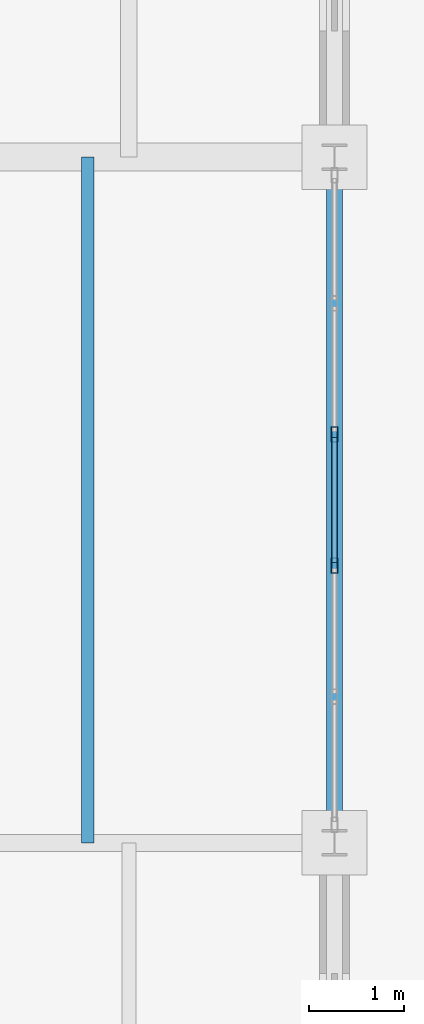
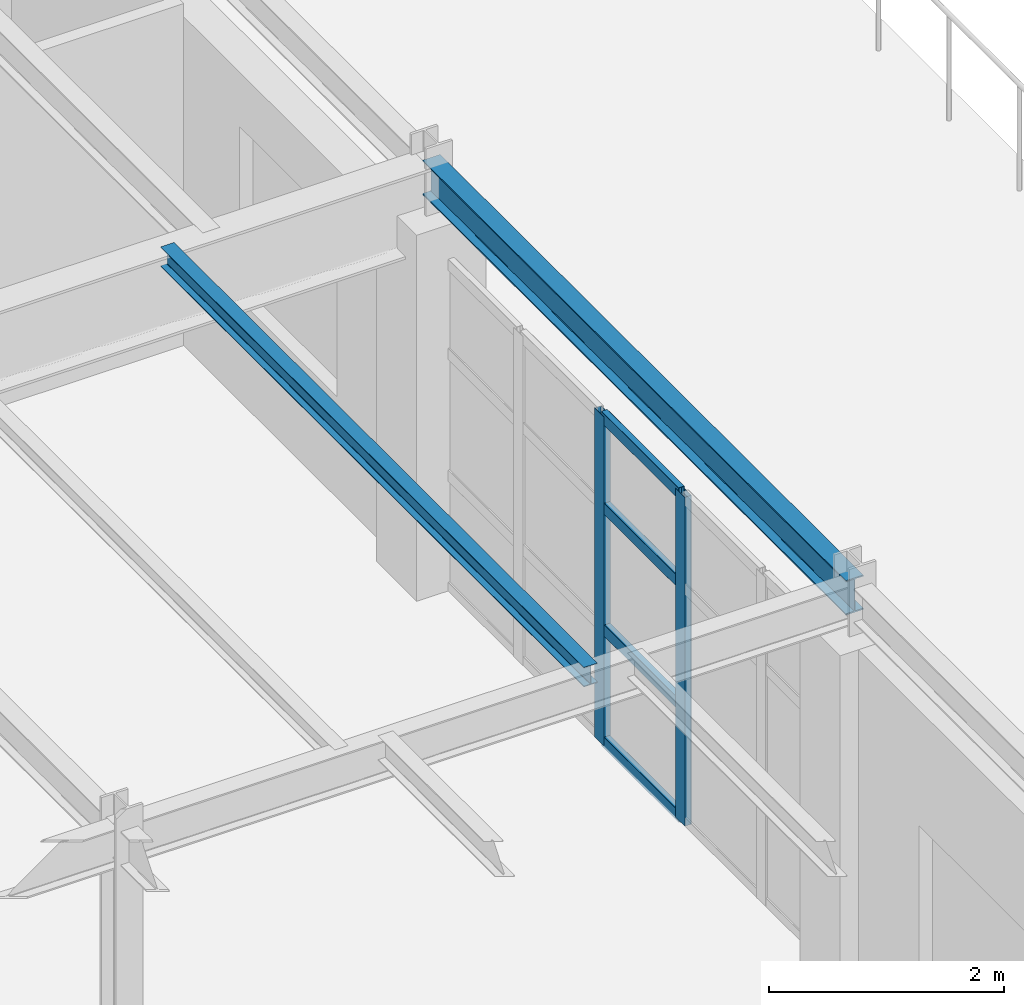
# One storey, part 45 of 101: 6 members, 2 beams, 1 element without a shape of its own.
"""IFC4 building model written with IfcOpenShell, lengths in metres."""

from ifc_helpers import new_model, si_unit, direction, frame, origin, origin_2d, place, context, subcontext, project, spatial, hollow_rectangle, i_section, extrude, material, layer, layer_set, material_profile, profile_set, type_object, element, aggregate, save


model = new_model("IFC4")

# Units and contexts
model_context = context("Model", 3, precision=1e-05, world=origin(), true_north=direction((0.0, 1.0)))
body_context = subcontext(model_context, "Body", "Model", "MODEL_VIEW")
ifc_project = project(units=[si_unit("LENGTHUNIT", "METRE"), si_unit("AREAUNIT", "SQUARE_METRE"), si_unit("VOLUMEUNIT", "CUBIC_METRE"), si_unit("PLANEANGLEUNIT", "RADIAN"), si_unit("MASSUNIT", "GRAM", prefix="KILO")], contexts=[model_context])

# Site, building, storey
site_placement = place(None, origin())
site = spatial("IfcSite", under=ifc_project, at=site_placement, CompositionType="ELEMENT")
building_placement = place(site_placement, origin())
building = spatial("IfcBuilding", under=site, at=building_placement, Name="Kemerveld Promenade Tramway Depot", CompositionType="ELEMENT")
storey_placement = place(building_placement, frame((0.0, 0.0, 9.89990234375)))
storey = spatial("IfcBuildingStorey", under=building, at=storey_placement, Name="L02", CompositionType="ELEMENT", Elevation=9.89990234375)

# Beams
ifc_material_1 = material(Name="Steel S355", Category="steel")
ifc_material_profile_1 = material_profile(ifc_material_1, i_section(OverallWidth=0.172119140625, OverallDepth=0.35791015625, WebThickness=0.008056640625, FlangeThickness=0.012939453125, FilletRadius=0.01025390625, at=origin_2d()), Name="356x171x57 UB")
ifc_profile_set_1 = profile_set([ifc_material_profile_1], Name="Steel S355")
beam_type_1 = type_object("IfcBeamType", Name="BM-G08", PredefinedType="BEAM", material=ifc_profile_set_1)
beam_1_placement = place(storey_placement, frame((50.39990234375, 43.199951171875, 4.106201171875), z_axis=(0.0, 1.0, 0.0), x_axis=(-1.0, 0.0, 0.0)))
element("IfcBeam", 1, at=beam_1_placement, inside=storey, type_object=beam_type_1, Name="BMY-L02-08-G-H", PredefinedType="BEAM", context=body_context, shape_type="SweptSolid", body=[
    extrude(i_section(OverallWidth=0.172119140625, OverallDepth=0.35791015625, WebThickness=0.008056640625, FlangeThickness=0.012939453125, FilletRadius=0.01025390625, at=origin_2d()), origin(), (0.0, 0.0, 1.0), 7.199951171875),
])
ifc_material_profile_2 = material_profile(ifc_material_1, i_section(OverallWidth=0.13330078125, OverallDepth=0.203125, WebThickness=0.005615234375, FlangeThickness=0.0078125, FilletRadius=0.007568359375, at=origin_2d()), Name="203x133x25 UB")
ifc_profile_set_2 = profile_set([ifc_material_profile_2], Name="Steel S355")
beam_type_2 = type_object("IfcBeamType", Name="BM-J03", PredefinedType="JOIST", material=ifc_profile_set_2)
beam_2_placement = place(storey_placement, frame((47.80810546875, 43.199951171875, 4.18359375), z_axis=(0.0, 1.0, 0.0), x_axis=(-1.0, 0.0, 0.0)))
element("IfcBeam", 2, at=beam_2_placement, inside=storey, type_object=beam_type_2, Name="JST-L02-07-G-2", PredefinedType="JOIST", context=body_context, shape_type="SweptSolid", body=[
    extrude(i_section(OverallWidth=0.13330078125, OverallDepth=0.203125, WebThickness=0.005615234375, FlangeThickness=0.0078125, FilletRadius=0.007568359375, at=origin_2d()), origin(), (0.0, 0.0, 1.0), 7.199951171875),
])

# Curtain wall, members
ifc_material_2 = material(Name="Bronze anodised aluminium and solar glass", Category="aluminium")
ifc_layer = layer(ifc_material_2, 0.159912109375)
ifc_layer_set = layer_set([ifc_layer], Name="CW-SYS-07")
curtain_wall_type = type_object("IfcCurtainWallType", Name="CW-SYS-07", PredefinedType="USERDEFINED", material=ifc_layer_set)
curtain_wall_placement = place(storey_placement, origin())
curtain_wall = element("IfcCurtainWall", 3, at=curtain_wall_placement, inside=storey, type_object=curtain_wall_type, Name="CW-L02-V5E-04", ObjectType="GLAZED_CURTAIN_WALL", PredefinedType="USERDEFINED")
ifc_material_3 = material(Name="Bronze anodised aluminium", Category="aluminium")
ifc_material_profile_3 = material_profile(ifc_material_3, hollow_rectangle(XDim=0.06494140625, YDim=0.159912109375, WallThickness=0.00390625, InnerFilletRadius=0.001953125, OuterFilletRadius=0.00390625, at=origin_2d()), Name="CW-MUL-160x65")
ifc_profile_set_3 = profile_set([ifc_material_profile_3], Name="Bronze anodised aluminium")
member_type_1 = type_object("IfcMemberType", Name="CW-MUL-A", PredefinedType="MULLION", material=ifc_profile_set_3)
member_1_placement = place(storey_placement, frame((50.39990234375, 47.48828125, 0.0), z_axis=(0.0, 0.0, 1.0), x_axis=(1.0, 0.0, 0.0)))
member_1 = element("IfcMember", 4, at=member_1_placement, type_object=member_type_1, Name="CW07 mullion 3", PredefinedType="MULLION", context=body_context, shape_type="SweptSolid", body=[
    extrude(hollow_rectangle(XDim=0.06494140625, YDim=0.159912109375, WallThickness=0.00390625, InnerFilletRadius=0.001953125, OuterFilletRadius=0.00390625, at=origin_2d()), origin(), (0.0, 0.0, 1.0), 3.414306640625),
])
member_2_placement = place(storey_placement, frame((50.39990234375, 46.111572265625, 0.0), z_axis=(0.0, 0.0, 1.0), x_axis=(1.0, 0.0, 0.0)))
member_2 = element("IfcMember", 5, at=member_2_placement, type_object=member_type_1, Name="CW07 mullion 4", PredefinedType="MULLION", context=body_context, shape_type="SweptSolid", body=[
    extrude(hollow_rectangle(XDim=0.06494140625, YDim=0.159912109375, WallThickness=0.00390625, InnerFilletRadius=0.001953125, OuterFilletRadius=0.00390625, at=origin_2d()), origin(), (0.0, 0.0, 1.0), 3.414306640625),
])
ifc_material_profile_4 = material_profile(ifc_material_3, hollow_rectangle(XDim=0.06005859375, YDim=0.1201171875, WallThickness=0.00390625, InnerFilletRadius=0.001953125, OuterFilletRadius=0.00390625, at=origin_2d()), Name="CW-TRN-120x60")
ifc_profile_set_4 = profile_set([ifc_material_profile_4], Name="Bronze anodised aluminium")
member_type_2 = type_object("IfcMemberType", Name="CW-TRN-A", PredefinedType="USERDEFINED", material=ifc_profile_set_4)
member_3_placement = place(storey_placement, frame((50.39990234375, 47.455810546875, 0.030029296875), z_axis=(0.0, -1.0, 0.0), x_axis=(1.0, 0.0, 0.0)))
member_3 = element("IfcMember", 6, at=member_3_placement, type_object=member_type_2, Name="CW07 transom 3.1", ObjectType="TRANSOM", PredefinedType="USERDEFINED", context=body_context, shape_type="SweptSolid", body=[
    extrude(hollow_rectangle(XDim=0.06005859375, YDim=0.1201171875, WallThickness=0.00390625, InnerFilletRadius=0.001953125, OuterFilletRadius=0.00390625, at=origin_2d()), origin(), (0.0, 0.0, 1.0), 1.311767578125),
])
member_4_placement = place(storey_placement, frame((50.39990234375, 47.455810546875, 1.195068359375), z_axis=(0.0, -1.0, 0.0), x_axis=(1.0, 0.0, 0.0)))
member_4 = element("IfcMember", 7, at=member_4_placement, type_object=member_type_2, Name="CW07 transom 3.2", ObjectType="TRANSOM", PredefinedType="USERDEFINED", context=body_context, shape_type="SweptSolid", body=[
    extrude(hollow_rectangle(XDim=0.06005859375, YDim=0.1201171875, WallThickness=0.00390625, InnerFilletRadius=0.001953125, OuterFilletRadius=0.00390625, at=origin_2d()), origin(), (0.0, 0.0, 1.0), 1.311767578125),
])
member_5_placement = place(storey_placement, frame((50.39990234375, 47.455810546875, 2.4580078125), z_axis=(0.0, -1.0, 0.0), x_axis=(1.0, 0.0, 0.0)))
member_5 = element("IfcMember", 8, at=member_5_placement, type_object=member_type_2, Name="CW07 transom 3.3", ObjectType="TRANSOM", PredefinedType="USERDEFINED", context=body_context, shape_type="SweptSolid", body=[
    extrude(hollow_rectangle(XDim=0.06005859375, YDim=0.1201171875, WallThickness=0.00390625, InnerFilletRadius=0.001953125, OuterFilletRadius=0.00390625, at=origin_2d()), origin(), (0.0, 0.0, 1.0), 1.311767578125),
])
member_6_placement = place(storey_placement, frame((50.39990234375, 47.455810546875, 3.38427734375), z_axis=(0.0, -1.0, 0.0), x_axis=(1.0, 0.0, 0.0)))
member_6 = element("IfcMember", 9, at=member_6_placement, type_object=member_type_2, Name="CW07 transom 3.4", ObjectType="TRANSOM", PredefinedType="USERDEFINED", context=body_context, shape_type="SweptSolid", body=[
    extrude(hollow_rectangle(XDim=0.06005859375, YDim=0.1201171875, WallThickness=0.00390625, InnerFilletRadius=0.001953125, OuterFilletRadius=0.00390625, at=origin_2d()), origin(), (0.0, 0.0, 1.0), 1.311767578125),
])
aggregate(curtain_wall, [member_1, member_2, member_3, member_4, member_5, member_6])

save(model, "model.ifc")
